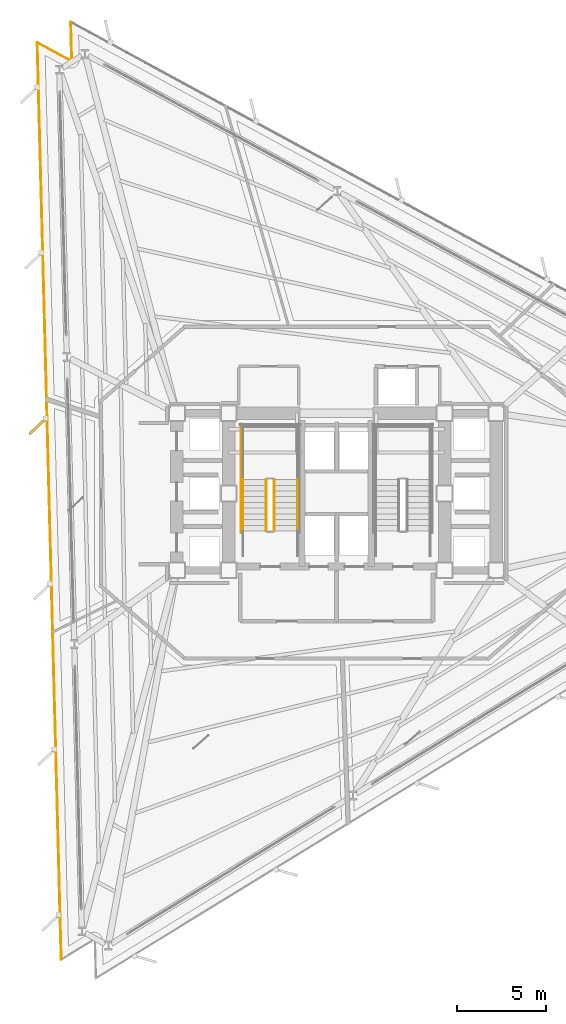
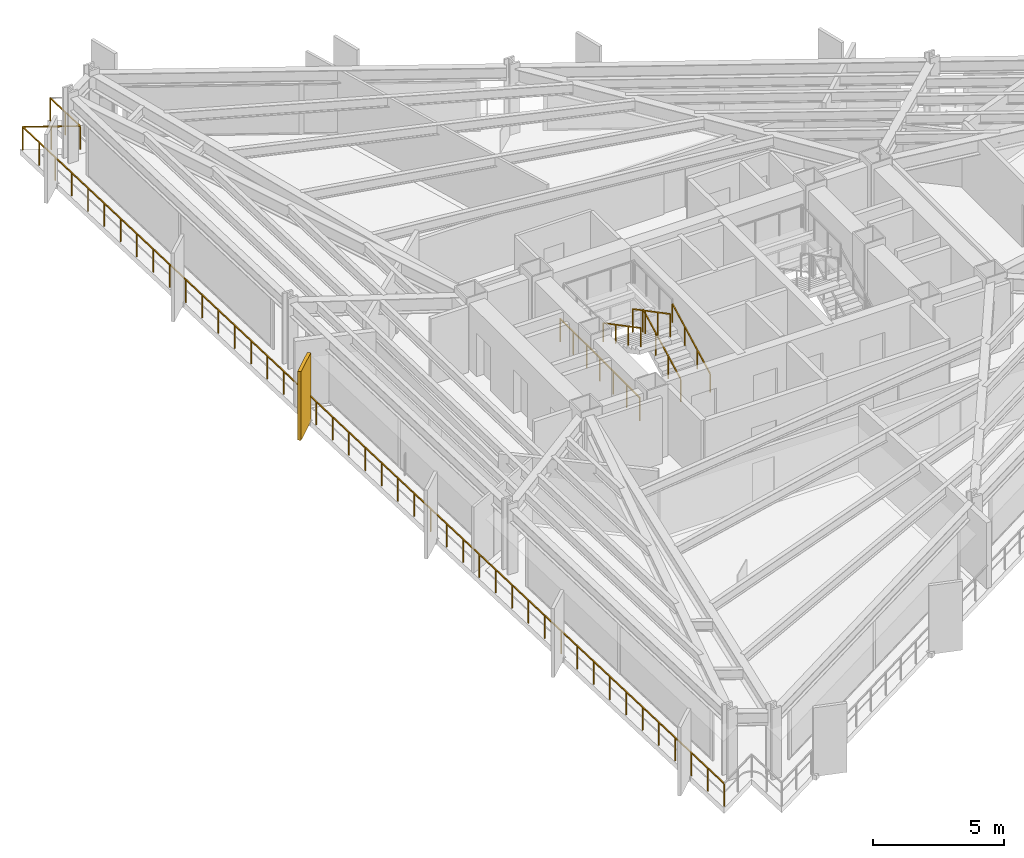
# One storey, part 12 of 14: 6 railings, 1 shading device.
"""IFC4 building model written with IfcOpenShell, lengths in metres."""

from ifc_helpers import new_model, si_unit, direction, frame, origin, origin_2d, place, context, subcontext, project, spatial, rectangle, extrude, material, layer, layer_set, type_object, element, save


model = new_model("IFC4")

# Units and contexts
model_context = context("Model", 3, precision=1e-05, world=origin(), true_north=direction((0.0, 1.0)))
body_context = subcontext(model_context, "Body", "Model", "MODEL_VIEW")
ifc_project = project(units=[si_unit("LENGTHUNIT", "METRE"), si_unit("AREAUNIT", "SQUARE_METRE"), si_unit("VOLUMEUNIT", "CUBIC_METRE"), si_unit("PLANEANGLEUNIT", "RADIAN"), si_unit("MASSUNIT", "GRAM", prefix="KILO")], contexts=[model_context])

# Site, building, storey
site_placement = place(None, origin())
site = spatial("IfcSite", under=ifc_project, at=site_placement, CompositionType="ELEMENT")
building_placement = place(site_placement, origin())
building = spatial("IfcBuilding", under=site, at=building_placement, Name="Rocaltana Carrier Exchange", CompositionType="ELEMENT")
storey_placement = place(building_placement, frame((0.0, 0.0, 22.239990234375)))
storey = spatial("IfcBuildingStorey", under=building, at=storey_placement, Name="L07", CompositionType="ELEMENT", Elevation=22.239990234375)

# Railings
ifc_material_1 = material(Name="Brushed Architectural Stainless Tube", Category="steel")
ifc_layer_1 = layer(ifc_material_1, 0.048095703125)
ifc_layer_set_1 = layer_set([ifc_layer_1], Name="Brushed Architectural Stainless Tube")
railing_type_1 = type_object("IfcRailingType", Name="Stair Wall Handrail 920", PredefinedType="HANDRAIL", material=ifc_layer_set_1)
railing_1_placement = place(storey_placement, frame((-2.18994140625, -2.10009765625, 0.16796875)))
element("IfcRailing", 1, at=railing_1_placement, inside=storey, type_object=railing_type_1, Name="L07 ST-1 stair handrail 1", PredefinedType="HANDRAIL", context=body_context, shape_type="SweptSolid", body=[
    extrude(rectangle(XDim=0.048095703125, YDim=0.048095703125, at=origin_2d()), frame((0.0, 0.0, 0.8759765625), z_axis=(0.0, 0.885411030485, 0.464808893091), x_axis=(-1.0, 0.0, 0.0)), (0.0, 0.0, 1.0), 3.2529296875),
    extrude(rectangle(XDim=0.0419921875, YDim=0.0419921875, at=origin_2d()), origin(), (0.0, 0.0, 1.0), 0.851806640625),
    extrude(rectangle(XDim=0.0419921875, YDim=0.0419921875, at=origin_2d()), frame((0.0, 0.9599609375, 0.50390625)), (0.0, 0.0, 1.0), 0.851806640625),
    extrude(rectangle(XDim=0.0419921875, YDim=0.0419921875, at=origin_2d()), frame((0.0, 1.920166015625, 1.008056640625)), (0.0, 0.0, 1.0), 0.851806640625),
    extrude(rectangle(XDim=0.0419921875, YDim=0.0419921875, at=origin_2d()), frame((0.0, 2.880126953125, 1.511962890625)), (0.0, 0.0, 1.0), 0.851806640625),
])
railing_2_placement = place(storey_placement, frame((-5.25, 0.780029296875, 1.847900390625)))
element("IfcRailing", 2, at=railing_2_placement, inside=storey, type_object=railing_type_1, Name="L07 ST-1 stair handrail 2", PredefinedType="HANDRAIL", context=body_context, shape_type="SweptSolid", body=[
    extrude(rectangle(XDim=0.048095703125, YDim=0.048095703125, at=origin_2d()), frame((0.0, 0.0, 0.8759765625), z_axis=(0.0, -0.8853801414, 0.46486772873), x_axis=(1.0, 0.0, 0.0)), (0.0, 0.0, 1.0), 3.2529296875),
    extrude(rectangle(XDim=0.0419921875, YDim=0.0419921875, at=origin_2d()), origin(), (0.0, 0.0, 1.0), 0.851806640625),
    extrude(rectangle(XDim=0.0419921875, YDim=0.0419921875, at=origin_2d()), frame((0.0, -0.9599609375, 0.504150390625)), (0.0, 0.0, 1.0), 0.851806640625),
    extrude(rectangle(XDim=0.0419921875, YDim=0.0419921875, at=origin_2d()), frame((0.0, -1.920166015625, 1.008056640625)), (0.0, 0.0, 1.0), 0.851806640625),
    extrude(rectangle(XDim=0.0419921875, YDim=0.0419921875, at=origin_2d()), frame((0.0, -2.880126953125, 1.51220703125)), (0.0, 0.0, 1.0), 0.851806640625),
])
ifc_material_2 = material(Name="Powder-Coated Aluminium 6063-T6", Category="aluminium")
ifc_layer_2 = layer(ifc_material_2, 0.048095703125)
ifc_layer_set_2 = layer_set([ifc_layer_2], Name="Powder-Coated Aluminium 6063-T6")
railing_type_2 = type_object("IfcRailingType", Name="Stair Well Guardrail 1100", PredefinedType="GUARDRAIL", material=ifc_layer_set_2)
railing_3_placement = place(storey_placement, frame((-3.489990234375, -2.10009765625, 0.16796875)))
element("IfcRailing", 3, at=railing_3_placement, inside=storey, type_object=railing_type_2, Name="L07 ST-1 stair guard 1", PredefinedType="GUARDRAIL", context=body_context, shape_type="SweptSolid", body=[
    extrude(rectangle(XDim=0.048095703125, YDim=0.048095703125, at=origin_2d()), frame((0.0, 0.0, 1.076171875), z_axis=(0.0, 0.885411030485, 0.464808893091), x_axis=(-1.0, 0.0, 0.0)), (0.0, 0.0, 1.0), 3.2529296875),
    extrude(rectangle(XDim=0.0419921875, YDim=0.0419921875, at=origin_2d()), origin(), (0.0, 0.0, 1.0), 1.052001953125),
    extrude(rectangle(XDim=0.0419921875, YDim=0.0419921875, at=origin_2d()), frame((0.0, 0.9599609375, 0.50390625)), (0.0, 0.0, 1.0), 1.052001953125),
    extrude(rectangle(XDim=0.0419921875, YDim=0.0419921875, at=origin_2d()), frame((0.0, 1.920166015625, 1.008056640625)), (0.0, 0.0, 1.0), 1.052001953125),
    extrude(rectangle(XDim=0.0419921875, YDim=0.0419921875, at=origin_2d()), frame((0.0, 2.880126953125, 1.511962890625)), (0.0, 0.0, 1.0), 1.052001953125),
])
railing_4_placement = place(storey_placement, frame((-3.949951171875, 0.780029296875, 1.847900390625)))
element("IfcRailing", 4, at=railing_4_placement, inside=storey, type_object=railing_type_2, Name="L07 ST-1 stair guard 6", PredefinedType="GUARDRAIL", context=body_context, shape_type="SweptSolid", body=[
    extrude(rectangle(XDim=0.048095703125, YDim=0.048095703125, at=origin_2d()), frame((0.0, 0.0, 1.076171875), z_axis=(0.0, -0.8853801414, 0.46486772873), x_axis=(1.0, 0.0, 0.0)), (0.0, 0.0, 1.0), 3.2529296875),
    extrude(rectangle(XDim=0.0419921875, YDim=0.0419921875, at=origin_2d()), origin(), (0.0, 0.0, 1.0), 1.052001953125),
    extrude(rectangle(XDim=0.0419921875, YDim=0.0419921875, at=origin_2d()), frame((0.0, -0.9599609375, 0.504150390625)), (0.0, 0.0, 1.0), 1.052001953125),
    extrude(rectangle(XDim=0.0419921875, YDim=0.0419921875, at=origin_2d()), frame((0.0, -1.920166015625, 1.008056640625)), (0.0, 0.0, 1.0), 1.052001953125),
    extrude(rectangle(XDim=0.0419921875, YDim=0.0419921875, at=origin_2d()), frame((0.0, -2.880126953125, 1.51220703125)), (0.0, 0.0, 1.0), 1.052001953125),
])
railing_5_placement = place(storey_placement, frame((-5.35009765625, -2.199951171875, 0.0)))
element("IfcRailing", 5, at=railing_5_placement, inside=storey, type_object=railing_type_2, Name="L07 ST-1 stair guard 11", PredefinedType="GUARDRAIL", context=body_context, shape_type="SweptSolid", body=[
    extrude(rectangle(XDim=0.048095703125, YDim=0.048095703125, at=origin_2d()), frame((0.0, 0.0, 1.076171875), z_axis=(0.0, 1.0, 0.0), x_axis=(-1.0, 0.0, 0.0)), (0.0, 0.0, 1.0), 6.099853515625),
    extrude(rectangle(XDim=0.0419921875, YDim=0.0419921875, at=origin_2d()), origin(), (0.0, 0.0, 1.0), 1.052001953125),
    extrude(rectangle(XDim=0.0419921875, YDim=0.0419921875, at=origin_2d()), frame((0.0, 1.0166015625, 0.0)), (0.0, 0.0, 1.0), 1.052001953125),
    extrude(rectangle(XDim=0.0419921875, YDim=0.0419921875, at=origin_2d()), frame((0.0, 2.033203125, 0.0)), (0.0, 0.0, 1.0), 1.052001953125),
    extrude(rectangle(XDim=0.0419921875, YDim=0.0419921875, at=origin_2d()), frame((0.0, 3.0498046875, 0.0)), (0.0, 0.0, 1.0), 1.052001953125),
    extrude(rectangle(XDim=0.0419921875, YDim=0.0419921875, at=origin_2d()), frame((0.0, 4.066650390625, 0.0)), (0.0, 0.0, 1.0), 1.052001953125),
    extrude(rectangle(XDim=0.0419921875, YDim=0.0419921875, at=origin_2d()), frame((0.0, 5.083251953125, 0.0)), (0.0, 0.0, 1.0), 1.052001953125),
    extrude(rectangle(XDim=0.0419921875, YDim=0.0419921875, at=origin_2d()), frame((0.0, 6.099853515625, 0.0)), (0.0, 0.0, 1.0), 1.052001953125),
])

# Shading device
ifc_material_3 = material(Name="Honed Bogota Sandstone & Concrete C45/55", Category="masonry")
ifc_layer_3 = layer(ifc_material_3, 0.139892578125)
ifc_layer_set_3 = layer_set([ifc_layer_3], Name="Honed Bogota Sandstone & Concrete C45/55")
shading_device_type = type_object("IfcShadingDeviceType", Name="Vertical Sandstone Shading Fin 1320x140", PredefinedType="USERDEFINED", material=ifc_layer_set_3)
shading_device_placement = place(storey_placement, frame((-16.7314453125, 3.78857421875, -0.1201171875), z_axis=(0.0, 0.0, 1.0), x_axis=(-0.725374371012, -0.688354575694, 0.0)))
element("IfcShadingDevice", 6, at=shading_device_placement, inside=storey, type_object=shading_device_type, Name="L07 Sandstone Vertical Fin F2-03", ObjectType="FIN", PredefinedType="USERDEFINED", context=body_context, shape_type="SweptSolid", body=[
    extrude(rectangle(XDim=1.320068359375, YDim=0.139892578125, at=origin_2d()), origin(), (0.0, 0.0, 1.0), 3.218017578125),
])

# Railing
ifc_material_4 = material(Name="Powder-Coated Aluminium 6063-T6", Category="aluminium")
ifc_layer_4 = layer(ifc_material_4, 0.06005859375)
ifc_layer_set_4 = layer_set([ifc_layer_4], Name="Powder-Coated Aluminium 6063-T6")
railing_type_3 = type_object("IfcRailingType", Name="Wind-Floor & Terrace Perimeter Guardrail 1100", PredefinedType="GUARDRAIL", material=ifc_layer_set_4)
railing_6_placement = place(storey_placement, frame((-15.427490234375, -26.10888671875, 0.0)))
element("IfcRailing", 7, at=railing_6_placement, inside=storey, type_object=railing_type_3, Name="L07 Perimeter Balcony Guardrail 2", PredefinedType="GUARDRAIL", context=body_context, shape_type="SweptSolid", body=[
    extrude(rectangle(XDim=0.048095703125, YDim=0.048095703125, at=origin_2d()), frame((0.0, 0.0, 1.076171875), z_axis=(-0.02618025491, 0.999657238384, 0.0), x_axis=(-0.999657238384, -0.02618025491, 0.0)), (0.0, 0.0, 1.0), 51.39208984375),
    extrude(rectangle(XDim=0.048095703125, YDim=0.048095703125, at=origin_2d()), frame((-1.345458984375, 51.37451171875, 1.076171875), z_axis=(0.878801578058, -0.477187370331, 0.0), x_axis=(0.477187370331, 0.878801578058, 0.0)), (0.0, 0.0, 1.0), 2.199951171875),
    extrude(rectangle(XDim=0.048095703125, YDim=0.048095703125, at=origin_2d()), frame((0.587890625, 50.32470703125, 1.076171875), z_axis=(-0.026187042546, 0.999657060598, 0.0), x_axis=(-0.999657060598, -0.026187042546, 0.0)), (0.0, 0.0, 1.0), 2.2001953125),
    extrude(rectangle(XDim=0.0419921875, YDim=0.0419921875, at=origin_2d()), origin(), (0.0, 0.0, 1.0), 1.052001953125),
    extrude(rectangle(XDim=0.0419921875, YDim=0.0419921875, at=origin_2d()), frame((-0.03125, 1.19482421875, 0.0)), (0.0, 0.0, 1.0), 1.052001953125),
    extrude(rectangle(XDim=0.0419921875, YDim=0.0419921875, at=origin_2d()), frame((-0.0625, 2.389404296875, 0.0)), (0.0, 0.0, 1.0), 1.052001953125),
    extrude(rectangle(XDim=0.0419921875, YDim=0.0419921875, at=origin_2d()), frame((-0.09375, 3.584228515625, 0.0)), (0.0, 0.0, 1.0), 1.052001953125),
    extrude(rectangle(XDim=0.0419921875, YDim=0.0419921875, at=origin_2d()), frame((-0.125244140625, 4.779052734375, 0.0)), (0.0, 0.0, 1.0), 1.052001953125),
    extrude(rectangle(XDim=0.0419921875, YDim=0.0419921875, at=origin_2d()), frame((-0.156494140625, 5.973876953125, 0.0)), (0.0, 0.0, 1.0), 1.052001953125),
    extrude(rectangle(XDim=0.0419921875, YDim=0.0419921875, at=origin_2d()), frame((-0.187744140625, 7.16845703125, 0.0)), (0.0, 0.0, 1.0), 1.052001953125),
    extrude(rectangle(XDim=0.0419921875, YDim=0.0419921875, at=origin_2d()), frame((-0.218994140625, 8.36328125, 0.0)), (0.0, 0.0, 1.0), 1.052001953125),
    extrude(rectangle(XDim=0.0419921875, YDim=0.0419921875, at=origin_2d()), frame((-0.250244140625, 9.55810546875, 0.0)), (0.0, 0.0, 1.0), 1.052001953125),
    extrude(rectangle(XDim=0.0419921875, YDim=0.0419921875, at=origin_2d()), frame((-0.281494140625, 10.752685546875, 0.0)), (0.0, 0.0, 1.0), 1.052001953125),
    extrude(rectangle(XDim=0.0419921875, YDim=0.0419921875, at=origin_2d()), frame((-0.31298828125, 11.947509765625, 0.0)), (0.0, 0.0, 1.0), 1.052001953125),
    extrude(rectangle(XDim=0.0419921875, YDim=0.0419921875, at=origin_2d()), frame((-0.34423828125, 13.142333984375, 0.0)), (0.0, 0.0, 1.0), 1.052001953125),
    extrude(rectangle(XDim=0.0419921875, YDim=0.0419921875, at=origin_2d()), frame((-0.37548828125, 14.337158203125, 0.0)), (0.0, 0.0, 1.0), 1.052001953125),
    extrude(rectangle(XDim=0.0419921875, YDim=0.0419921875, at=origin_2d()), frame((-0.40673828125, 15.53173828125, 0.0)), (0.0, 0.0, 1.0), 1.052001953125),
    extrude(rectangle(XDim=0.0419921875, YDim=0.0419921875, at=origin_2d()), frame((-0.43798828125, 16.7265625, 0.0)), (0.0, 0.0, 1.0), 1.052001953125),
    extrude(rectangle(XDim=0.0419921875, YDim=0.0419921875, at=origin_2d()), frame((-0.46923828125, 17.92138671875, 0.0)), (0.0, 0.0, 1.0), 1.052001953125),
    extrude(rectangle(XDim=0.0419921875, YDim=0.0419921875, at=origin_2d()), frame((-0.500732421875, 19.1162109375, 0.0)), (0.0, 0.0, 1.0), 1.052001953125),
    extrude(rectangle(XDim=0.0419921875, YDim=0.0419921875, at=origin_2d()), frame((-0.531982421875, 20.310791015625, 0.0)), (0.0, 0.0, 1.0), 1.052001953125),
    extrude(rectangle(XDim=0.0419921875, YDim=0.0419921875, at=origin_2d()), frame((-0.563232421875, 21.505615234375, 0.0)), (0.0, 0.0, 1.0), 1.052001953125),
    extrude(rectangle(XDim=0.0419921875, YDim=0.0419921875, at=origin_2d()), frame((-0.594482421875, 22.700439453125, 0.0)), (0.0, 0.0, 1.0), 1.052001953125),
    extrude(rectangle(XDim=0.0419921875, YDim=0.0419921875, at=origin_2d()), frame((-0.625732421875, 23.89501953125, 0.0)), (0.0, 0.0, 1.0), 1.052001953125),
    extrude(rectangle(XDim=0.0419921875, YDim=0.0419921875, at=origin_2d()), frame((-0.656982421875, 25.08984375, 0.0)), (0.0, 0.0, 1.0), 1.052001953125),
    extrude(rectangle(XDim=0.0419921875, YDim=0.0419921875, at=origin_2d()), frame((-0.6884765625, 26.28466796875, 0.0)), (0.0, 0.0, 1.0), 1.052001953125),
    extrude(rectangle(XDim=0.0419921875, YDim=0.0419921875, at=origin_2d()), frame((-0.7197265625, 27.4794921875, 0.0)), (0.0, 0.0, 1.0), 1.052001953125),
    extrude(rectangle(XDim=0.0419921875, YDim=0.0419921875, at=origin_2d()), frame((-0.7509765625, 28.674072265625, 0.0)), (0.0, 0.0, 1.0), 1.052001953125),
    extrude(rectangle(XDim=0.0419921875, YDim=0.0419921875, at=origin_2d()), frame((-0.7822265625, 29.868896484375, 0.0)), (0.0, 0.0, 1.0), 1.052001953125),
    extrude(rectangle(XDim=0.0419921875, YDim=0.0419921875, at=origin_2d()), frame((-0.8134765625, 31.063720703125, 0.0)), (0.0, 0.0, 1.0), 1.052001953125),
    extrude(rectangle(XDim=0.0419921875, YDim=0.0419921875, at=origin_2d()), frame((-0.8447265625, 32.25830078125, 0.0)), (0.0, 0.0, 1.0), 1.052001953125),
    extrude(rectangle(XDim=0.0419921875, YDim=0.0419921875, at=origin_2d()), frame((-0.876220703125, 33.453125, 0.0)), (0.0, 0.0, 1.0), 1.052001953125),
    extrude(rectangle(XDim=0.0419921875, YDim=0.0419921875, at=origin_2d()), frame((-0.907470703125, 34.64794921875, 0.0)), (0.0, 0.0, 1.0), 1.052001953125),
    extrude(rectangle(XDim=0.0419921875, YDim=0.0419921875, at=origin_2d()), frame((-0.938720703125, 35.8427734375, 0.0)), (0.0, 0.0, 1.0), 1.052001953125),
    extrude(rectangle(XDim=0.0419921875, YDim=0.0419921875, at=origin_2d()), frame((-0.969970703125, 37.037353515625, 0.0)), (0.0, 0.0, 1.0), 1.052001953125),
    extrude(rectangle(XDim=0.0419921875, YDim=0.0419921875, at=origin_2d()), frame((-1.001220703125, 38.232177734375, 0.0)), (0.0, 0.0, 1.0), 1.052001953125),
    extrude(rectangle(XDim=0.0419921875, YDim=0.0419921875, at=origin_2d()), frame((-1.032470703125, 39.427001953125, 0.0)), (0.0, 0.0, 1.0), 1.052001953125),
    extrude(rectangle(XDim=0.0419921875, YDim=0.0419921875, at=origin_2d()), frame((-1.06396484375, 40.621826171875, 0.0)), (0.0, 0.0, 1.0), 1.052001953125),
    extrude(rectangle(XDim=0.0419921875, YDim=0.0419921875, at=origin_2d()), frame((-1.09521484375, 41.81640625, 0.0)), (0.0, 0.0, 1.0), 1.052001953125),
    extrude(rectangle(XDim=0.0419921875, YDim=0.0419921875, at=origin_2d()), frame((-1.12646484375, 43.01123046875, 0.0)), (0.0, 0.0, 1.0), 1.052001953125),
    extrude(rectangle(XDim=0.0419921875, YDim=0.0419921875, at=origin_2d()), frame((-1.15771484375, 44.2060546875, 0.0)), (0.0, 0.0, 1.0), 1.052001953125),
    extrude(rectangle(XDim=0.0419921875, YDim=0.0419921875, at=origin_2d()), frame((-1.18896484375, 45.400634765625, 0.0)), (0.0, 0.0, 1.0), 1.052001953125),
    extrude(rectangle(XDim=0.0419921875, YDim=0.0419921875, at=origin_2d()), frame((-1.22021484375, 46.595458984375, 0.0)), (0.0, 0.0, 1.0), 1.052001953125),
    extrude(rectangle(XDim=0.0419921875, YDim=0.0419921875, at=origin_2d()), frame((-1.251708984375, 47.790283203125, 0.0)), (0.0, 0.0, 1.0), 1.052001953125),
    extrude(rectangle(XDim=0.0419921875, YDim=0.0419921875, at=origin_2d()), frame((-1.282958984375, 48.985107421875, 0.0)), (0.0, 0.0, 1.0), 1.052001953125),
    extrude(rectangle(XDim=0.0419921875, YDim=0.0419921875, at=origin_2d()), frame((-1.314208984375, 50.1796875, 0.0)), (0.0, 0.0, 1.0), 1.052001953125),
    extrude(rectangle(XDim=0.0419921875, YDim=0.0419921875, at=origin_2d()), frame((-1.345458984375, 51.37451171875, 0.0)), (0.0, 0.0, 1.0), 1.052001953125),
    extrude(rectangle(XDim=0.0419921875, YDim=0.0419921875, at=origin_2d()), frame((-0.37890625, 50.849609375, 0.0)), (0.0, 0.0, 1.0), 1.052001953125),
    extrude(rectangle(XDim=0.0419921875, YDim=0.0419921875, at=origin_2d()), frame((0.587890625, 50.32470703125, 0.0)), (0.0, 0.0, 1.0), 1.052001953125),
    extrude(rectangle(XDim=0.0419921875, YDim=0.0419921875, at=origin_2d()), frame((0.55908203125, 51.42431640625, 0.0)), (0.0, 0.0, 1.0), 1.052001953125),
    extrude(rectangle(XDim=0.0419921875, YDim=0.0419921875, at=origin_2d()), frame((0.5302734375, 52.524169921875, 0.0)), (0.0, 0.0, 1.0), 1.052001953125),
])

save(model, "model.ifc")
